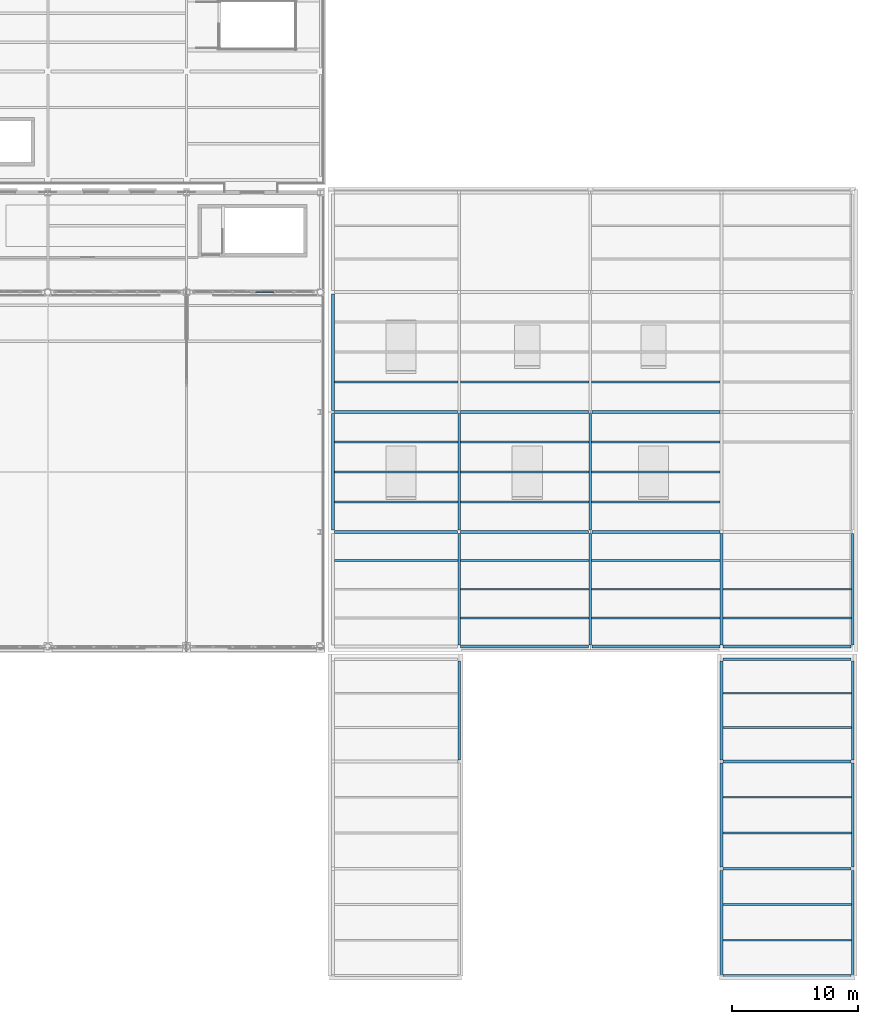
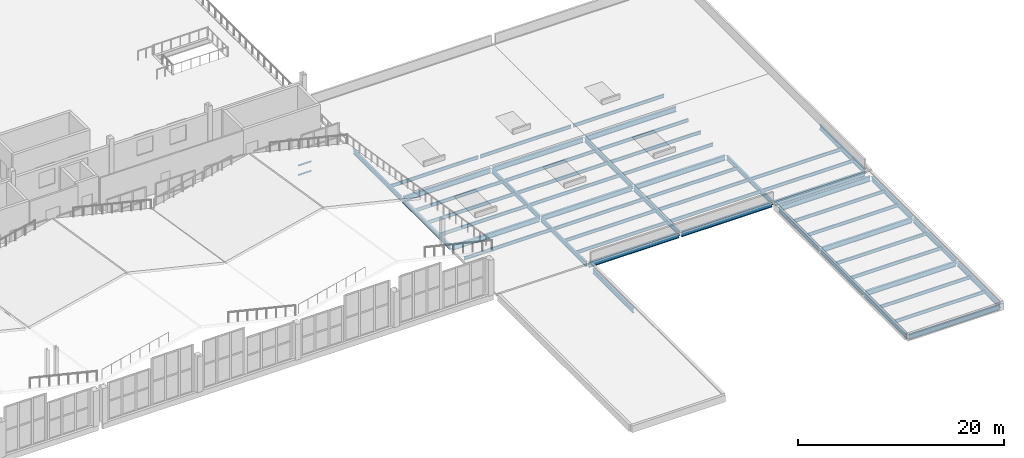
# One storey, part 74 of 120: 55 beams, 2 members, 1 element without a shape of its own.
"""IFC4 building model written with IfcOpenShell, lengths in metres."""

from ifc_helpers import new_model, si_unit, direction, frame, origin, origin_2d, place, context, subcontext, project, spatial, hollow_rectangle, i_section, extrude, material, material_profile, profile_set, type_object, element, aggregate, save


model = new_model("IFC4")

# Units and contexts
model_context = context("Model", 3, precision=1e-05, world=origin(), true_north=direction((0.0, 1.0)))
body_context = subcontext(model_context, "Body", "Model", "MODEL_VIEW")
ifc_project = project(units=[si_unit("LENGTHUNIT", "METRE"), si_unit("AREAUNIT", "SQUARE_METRE"), si_unit("VOLUMEUNIT", "CUBIC_METRE"), si_unit("PLANEANGLEUNIT", "RADIAN"), si_unit("MASSUNIT", "GRAM", prefix="KILO")], contexts=[model_context])

# Site, building, storey
site_placement = place(None, origin())
site = spatial("IfcSite", under=ifc_project, at=site_placement, CompositionType="ELEMENT")
building_placement = place(site_placement, origin())
building = spatial("IfcBuilding", under=site, at=building_placement, Name="Caurita Quay Ferry Terminal", CompositionType="ELEMENT")
storey_placement = place(building_placement, frame((0.0, 0.0, 9.89990234375)))
storey = spatial("IfcBuildingStorey", under=building, at=storey_placement, Name="L02", CompositionType="ELEMENT", Elevation=9.89990234375)

# Beams
ifc_material_1 = material(Name="Structural steel ASTM A992 Gr. 50", Category="steel")
ifc_material_profile_1 = material_profile(ifc_material_1, i_section(OverallWidth=0.210693359375, OverallDepth=0.53857421875, WebThickness=0.01171875, FlangeThickness=0.018798828125, FilletRadius=0.013916015625, at=origin_2d()), Name="W21X73")
ifc_profile_set_1 = profile_set([ifc_material_profile_1], Name="Structural steel ASTM A992 Gr. 50")
beam_type_1 = type_object("IfcBeamType", Name="BM-GR-W21A", PredefinedType="BEAM", material=ifc_profile_set_1)
for number, where, z_axis, x_axis, name in (
    (1, (132.800048828125, 43.83056640625, -0.479248046875), (0.0, 1.0, 0.0), (-1.0, 0.0, 0.0), "L02 Beam BM-V3H-L02-Y-1328-438"),
    (2, (132.800048828125, 53.33056640625, -0.479248046875), (0.0, 1.0, 0.0), (-1.0, 0.0, 0.0), "L02 Beam BM-V3H-L02-Y-1328-533"),
):
    element("IfcBeam", number, at=place(storey_placement, frame(where, z_axis=z_axis, x_axis=x_axis)), inside=storey, type_object=beam_type_1, Name=name, PredefinedType="BEAM", context=body_context, shape_type="SweptSolid", body=[
        extrude(i_section(OverallWidth=0.210693359375, OverallDepth=0.53857421875, WebThickness=0.01171875, FlangeThickness=0.018798828125, FilletRadius=0.013916015625, at=origin_2d()), origin(), (0.0, 0.0, 1.0), 9.23876953125),
    ])
beam_1_placement = place(storey_placement, frame((142.800048828125, 34.730712890625, -0.479248046875), z_axis=(0.0, 1.0, 0.0), x_axis=(-1.0, 0.0, 0.0)))
element("IfcBeam", 3, at=beam_1_placement, inside=storey, type_object=beam_type_1, Name="L02 Beam BM-V3H-L02-Y-1428-347", PredefinedType="BEAM", context=body_context, shape_type="SweptSolid", body=[
    extrude(i_section(OverallWidth=0.210693359375, OverallDepth=0.53857421875, WebThickness=0.01171875, FlangeThickness=0.018798828125, FilletRadius=0.013916015625, at=origin_2d()), origin(), (0.0, 0.0, 1.0), 8.838623046875),
])
beam_2_placement = place(storey_placement, frame((142.800048828125, 43.83056640625, -0.479248046875), z_axis=(0.0, 1.0, 0.0), x_axis=(-1.0, 0.0, 0.0)))
element("IfcBeam", 4, at=beam_2_placement, inside=storey, type_object=beam_type_1, Name="L02 Beam BM-V3H-L02-Y-1428-438", PredefinedType="BEAM", context=body_context, shape_type="SweptSolid", body=[
    extrude(i_section(OverallWidth=0.210693359375, OverallDepth=0.53857421875, WebThickness=0.01171875, FlangeThickness=0.018798828125, FilletRadius=0.013916015625, at=origin_2d()), origin(), (0.0, 0.0, 1.0), 9.23876953125),
])
beam_3_placement = place(storey_placement, frame((153.199951171875, 34.730712890625, -0.479248046875), z_axis=(0.0, 1.0, 0.0), x_axis=(-1.0, 0.0, 0.0)))
element("IfcBeam", 5, at=beam_3_placement, inside=storey, type_object=beam_type_1, Name="L02 Beam BM-V3H-L02-Y-1532-347", PredefinedType="BEAM", context=body_context, shape_type="SweptSolid", body=[
    extrude(i_section(OverallWidth=0.210693359375, OverallDepth=0.53857421875, WebThickness=0.01171875, FlangeThickness=0.018798828125, FilletRadius=0.013916015625, at=origin_2d()), origin(), (0.0, 0.0, 1.0), 8.838623046875),
])
beam_4_placement = place(storey_placement, frame((153.199951171875, 43.83056640625, -0.479248046875), z_axis=(0.0, 1.0, 0.0), x_axis=(-1.0, 0.0, 0.0)))
element("IfcBeam", 6, at=beam_4_placement, inside=storey, type_object=beam_type_1, Name="L02 Beam BM-V3H-L02-Y-1532-438", PredefinedType="BEAM", context=body_context, shape_type="SweptSolid", body=[
    extrude(i_section(OverallWidth=0.210693359375, OverallDepth=0.53857421875, WebThickness=0.01171875, FlangeThickness=0.018798828125, FilletRadius=0.013916015625, at=origin_2d()), origin(), (0.0, 0.0, 1.0), 9.23876953125),
])
for number, where, z_axis, x_axis, name in (
    (7, (163.60009765625, 34.730712890625, -0.479248046875), (0.0, 1.0, 0.0), (-1.0, 0.0, 0.0), "L02 Beam BM-V3H-L02-Y-1636-347"),
    (8, (174.0, 34.730712890625, -0.479248046875), (0.0, 1.0, 0.0), (-1.0, 0.0, 0.0), "L02 Beam BM-V3H-L02-Y-1740-347"),
):
    element("IfcBeam", number, at=place(storey_placement, frame(where, z_axis=z_axis, x_axis=x_axis)), inside=storey, type_object=beam_type_1, Name=name, PredefinedType="BEAM", context=body_context, shape_type="SweptSolid", body=[
        extrude(i_section(OverallWidth=0.210693359375, OverallDepth=0.53857421875, WebThickness=0.01171875, FlangeThickness=0.018798828125, FilletRadius=0.013916015625, at=origin_2d()), origin(), (0.0, 0.0, 1.0), 8.838623046875),
    ])
beam_5_placement = place(storey_placement, frame((142.800048828125, 25.62939453125, -0.479248046875), z_axis=(0.0, 1.0, 0.0), x_axis=(-1.0, 0.0, 0.0)))
element("IfcBeam", 9, at=beam_5_placement, inside=storey, type_object=beam_type_1, Name="L02 Beam BM-V3P-L02-Y-1428-256", PredefinedType="BEAM", context=body_context, shape_type="SweptSolid", body=[
    extrude(i_section(OverallWidth=0.210693359375, OverallDepth=0.53857421875, WebThickness=0.01171875, FlangeThickness=0.018798828125, FilletRadius=0.013916015625, at=origin_2d()), origin(), (0.0, 0.0, 1.0), 7.841064453125),
])
for number, where, z_axis, x_axis, name in (
    (10, (163.60009765625, 8.62939453125, -0.479248046875), (0.0, 1.0, 0.0), (-1.0, 0.0, 0.0), "L02 Beam BM-V3P-L02-Y-1636-86"),
    (11, (163.60009765625, 17.12939453125, -0.479248046875), (0.0, 1.0, 0.0), (-1.0, 0.0, 0.0), "L02 Beam BM-V3P-L02-Y-1636-171"),
):
    element("IfcBeam", number, at=place(storey_placement, frame(where, z_axis=z_axis, x_axis=x_axis)), inside=storey, type_object=beam_type_1, Name=name, PredefinedType="BEAM", context=body_context, shape_type="SweptSolid", body=[
        extrude(i_section(OverallWidth=0.210693359375, OverallDepth=0.53857421875, WebThickness=0.01171875, FlangeThickness=0.018798828125, FilletRadius=0.013916015625, at=origin_2d()), origin(), (0.0, 0.0, 1.0), 8.2412109375),
    ])
beam_6_placement = place(storey_placement, frame((163.60009765625, 25.62939453125, -0.479248046875), z_axis=(0.0, 1.0, 0.0), x_axis=(-1.0, 0.0, 0.0)))
element("IfcBeam", 12, at=beam_6_placement, inside=storey, type_object=beam_type_1, Name="L02 Beam BM-V3P-L02-Y-1636-256", PredefinedType="BEAM", context=body_context, shape_type="SweptSolid", body=[
    extrude(i_section(OverallWidth=0.210693359375, OverallDepth=0.53857421875, WebThickness=0.01171875, FlangeThickness=0.018798828125, FilletRadius=0.013916015625, at=origin_2d()), origin(), (0.0, 0.0, 1.0), 7.841064453125),
])
for number, where, z_axis, x_axis, name in (
    (13, (174.0, 8.62939453125, -0.479248046875), (0.0, 1.0, 0.0), (-1.0, 0.0, 0.0), "L02 Beam BM-V3P-L02-Y-1740-86"),
    (14, (174.0, 17.12939453125, -0.479248046875), (0.0, 1.0, 0.0), (-1.0, 0.0, 0.0), "L02 Beam BM-V3P-L02-Y-1740-171"),
):
    element("IfcBeam", number, at=place(storey_placement, frame(where, z_axis=z_axis, x_axis=x_axis)), inside=storey, type_object=beam_type_1, Name=name, PredefinedType="BEAM", context=body_context, shape_type="SweptSolid", body=[
        extrude(i_section(OverallWidth=0.210693359375, OverallDepth=0.53857421875, WebThickness=0.01171875, FlangeThickness=0.018798828125, FilletRadius=0.013916015625, at=origin_2d()), origin(), (0.0, 0.0, 1.0), 8.2412109375),
    ])
beam_7_placement = place(storey_placement, frame((174.0, 25.62939453125, -0.479248046875), z_axis=(0.0, 1.0, 0.0), x_axis=(-1.0, 0.0, 0.0)))
element("IfcBeam", 15, at=beam_7_placement, inside=storey, type_object=beam_type_1, Name="L02 Beam BM-V3P-L02-Y-1740-256", PredefinedType="BEAM", context=body_context, shape_type="SweptSolid", body=[
    extrude(i_section(OverallWidth=0.210693359375, OverallDepth=0.53857421875, WebThickness=0.01171875, FlangeThickness=0.018798828125, FilletRadius=0.013916015625, at=origin_2d()), origin(), (0.0, 0.0, 1.0), 7.841064453125),
])
ifc_material_profile_2 = material_profile(ifc_material_1, i_section(OverallWidth=0.22802734375, OverallDepth=0.60205078125, WebThickness=0.010498046875, FlangeThickness=0.014892578125, at=origin_2d()), Name="W24X68")
ifc_profile_set_2 = profile_set([ifc_material_profile_2], Name="Structural steel ASTM A992 Gr. 50")
beam_type_2 = type_object("IfcBeamType", Name="BM-GR-W24C", PredefinedType="BEAM", material=ifc_profile_set_2)
beam_8_placement = place(storey_placement, frame((142.929443359375, 34.60009765625, -0.510986328125), z_axis=(1.0, 0.0, 0.0), x_axis=(0.0, 1.0, 0.0)))
element("IfcBeam", 16, at=beam_8_placement, inside=storey, type_object=beam_type_2, Name="L02 Beam BM-V3H-L02-X-1429-346", PredefinedType="BEAM", context=body_context, shape_type="SweptSolid", body=[
    extrude(i_section(OverallWidth=0.22802734375, OverallDepth=0.60205078125, WebThickness=0.010498046875, FlangeThickness=0.014892578125, at=origin_2d()), origin(), (0.0, 0.0, 1.0), 10.14111328125),
])
beam_9_placement = place(storey_placement, frame((153.32958984375, 34.60009765625, -0.510986328125), z_axis=(1.0, 0.0, 0.0), x_axis=(0.0, 1.0, 0.0)))
element("IfcBeam", 17, at=beam_9_placement, inside=storey, type_object=beam_type_2, Name="L02 Beam BM-V3H-L02-X-1533-346", PredefinedType="BEAM", context=body_context, shape_type="SweptSolid", body=[
    extrude(i_section(OverallWidth=0.22802734375, OverallDepth=0.60205078125, WebThickness=0.010498046875, FlangeThickness=0.014892578125, at=origin_2d()), origin(), (0.0, 0.0, 1.0), 10.140869140625),
])
beam_10_placement = place(storey_placement, frame((163.7294921875, 34.60009765625, -0.510986328125), z_axis=(1.0, 0.0, 0.0), x_axis=(0.0, 1.0, 0.0)))
element("IfcBeam", 18, at=beam_10_placement, inside=storey, type_object=beam_type_2, Name="L02 Beam BM-V3H-L02-X-1637-346", PredefinedType="BEAM", context=body_context, shape_type="SweptSolid", body=[
    extrude(i_section(OverallWidth=0.22802734375, OverallDepth=0.60205078125, WebThickness=0.010498046875, FlangeThickness=0.014892578125, at=origin_2d()), origin(), (0.0, 0.0, 1.0), 10.14111328125),
])
beam_11_placement = place(storey_placement, frame((132.929443359375, 43.699951171875, -0.510986328125), z_axis=(1.0, 0.0, 0.0), x_axis=(0.0, 1.0, 0.0)))
element("IfcBeam", 19, at=beam_11_placement, inside=storey, type_object=beam_type_2, Name="L02 Beam BM-V3H-L02-X-1329-437", PredefinedType="BEAM", context=body_context, shape_type="SweptSolid", body=[
    extrude(i_section(OverallWidth=0.22802734375, OverallDepth=0.60205078125, WebThickness=0.010498046875, FlangeThickness=0.014892578125, at=origin_2d()), origin(), (0.0, 0.0, 1.0), 9.740966796875),
])
beam_12_placement = place(storey_placement, frame((142.929443359375, 43.699951171875, -0.510986328125), z_axis=(1.0, 0.0, 0.0), x_axis=(0.0, 1.0, 0.0)))
element("IfcBeam", 20, at=beam_12_placement, inside=storey, type_object=beam_type_2, Name="L02 Beam BM-V3H-L02-X-1429-437", PredefinedType="BEAM", context=body_context, shape_type="SweptSolid", body=[
    extrude(i_section(OverallWidth=0.22802734375, OverallDepth=0.60205078125, WebThickness=0.010498046875, FlangeThickness=0.014892578125, at=origin_2d()), origin(), (0.0, 0.0, 1.0), 10.14111328125),
])
beam_13_placement = place(storey_placement, frame((153.32958984375, 43.699951171875, -0.510986328125), z_axis=(1.0, 0.0, 0.0), x_axis=(0.0, 1.0, 0.0)))
element("IfcBeam", 21, at=beam_13_placement, inside=storey, type_object=beam_type_2, Name="L02 Beam BM-V3H-L02-X-1533-437", PredefinedType="BEAM", context=body_context, shape_type="SweptSolid", body=[
    extrude(i_section(OverallWidth=0.22802734375, OverallDepth=0.60205078125, WebThickness=0.010498046875, FlangeThickness=0.014892578125, at=origin_2d()), origin(), (0.0, 0.0, 1.0), 10.140869140625),
])
beam_14_placement = place(storey_placement, frame((132.929443359375, 53.199951171875, -0.510986328125), z_axis=(1.0, 0.0, 0.0), x_axis=(0.0, 1.0, 0.0)))
element("IfcBeam", 22, at=beam_14_placement, inside=storey, type_object=beam_type_2, Name="L02 Beam BM-V3H-L02-X-1329-532", PredefinedType="BEAM", context=body_context, shape_type="SweptSolid", body=[
    extrude(i_section(OverallWidth=0.22802734375, OverallDepth=0.60205078125, WebThickness=0.010498046875, FlangeThickness=0.014892578125, at=origin_2d()), origin(), (0.0, 0.0, 1.0), 9.740966796875),
])
beam_15_placement = place(storey_placement, frame((142.929443359375, 53.199951171875, -0.510986328125), z_axis=(1.0, 0.0, 0.0), x_axis=(0.0, 1.0, 0.0)))
element("IfcBeam", 23, at=beam_15_placement, inside=storey, type_object=beam_type_2, Name="L02 Beam BM-V3H-L02-X-1429-532", PredefinedType="BEAM", context=body_context, shape_type="SweptSolid", body=[
    extrude(i_section(OverallWidth=0.22802734375, OverallDepth=0.60205078125, WebThickness=0.010498046875, FlangeThickness=0.014892578125, at=origin_2d()), origin(), (0.0, 0.0, 1.0), 10.14111328125),
])
beam_16_placement = place(storey_placement, frame((153.32958984375, 53.199951171875, -0.510986328125), z_axis=(1.0, 0.0, 0.0), x_axis=(0.0, 1.0, 0.0)))
element("IfcBeam", 24, at=beam_16_placement, inside=storey, type_object=beam_type_2, Name="L02 Beam BM-V3H-L02-X-1533-532", PredefinedType="BEAM", context=body_context, shape_type="SweptSolid", body=[
    extrude(i_section(OverallWidth=0.22802734375, OverallDepth=0.60205078125, WebThickness=0.010498046875, FlangeThickness=0.014892578125, at=origin_2d()), origin(), (0.0, 0.0, 1.0), 10.140869140625),
])
for number, where, z_axis, x_axis, name in (
    (25, (163.7294921875, 8.5, -0.510986328125), (1.0, 0.0, 0.0), (0.0, 1.0, 0.0), "L02 Beam BM-V3P-L02-X-1637-85"),
    (26, (163.7294921875, 17.0, -0.510986328125), (1.0, 0.0, 0.0), (0.0, 1.0, 0.0), "L02 Beam BM-V3P-L02-X-1637-170"),
    (27, (163.7294921875, 25.5, -0.510986328125), (1.0, 0.0, 0.0), (0.0, 1.0, 0.0), "L02 Beam BM-V3P-L02-X-1637-255"),
    (28, (163.7294921875, 33.60009765625, -0.510986328125), (1.0, 0.0, 0.0), (0.0, 1.0, 0.0), "L02 Beam BM-V3P-L02-X-1637-336"),
):
    element("IfcBeam", number, at=place(storey_placement, frame(where, z_axis=z_axis, x_axis=x_axis)), inside=storey, type_object=beam_type_2, Name=name, PredefinedType="BEAM", context=body_context, shape_type="SweptSolid", body=[
        extrude(i_section(OverallWidth=0.22802734375, OverallDepth=0.60205078125, WebThickness=0.010498046875, FlangeThickness=0.014892578125, at=origin_2d()), origin(), (0.0, 0.0, 1.0), 10.14111328125),
    ])
ifc_material_profile_3 = material_profile(ifc_material_1, i_section(OverallWidth=0.139892578125, OverallDepth=0.39892578125, WebThickness=0.00634765625, FlangeThickness=0.0087890625, at=origin_2d()), Name="W16X26")
ifc_profile_set_3 = profile_set([ifc_material_profile_3], Name="Structural steel ASTM A992 Gr. 50")
beam_type_3 = type_object("IfcBeamType", Name="BM-JS-W16C", PredefinedType="JOIST", material=ifc_profile_set_3)
for number, where, z_axis, x_axis, name in (
    (29, (132.905517578125, 41.425048828125, -0.409423828125), (1.0, 0.0, 0.0), (0.0, 1.0, 0.0), "L02 Beam JS-V3H-L02-003"),
    (30, (132.905517578125, 46.074951171875, -0.409423828125), (1.0, 0.0, 0.0), (0.0, 1.0, 0.0), "L02 Beam JS-V3H-L02-004"),
    (31, (132.905517578125, 48.449951171875, -0.409423828125), (1.0, 0.0, 0.0), (0.0, 1.0, 0.0), "L02 Beam JS-V3H-L02-005"),
    (32, (132.905517578125, 50.824951171875, -0.409423828125), (1.0, 0.0, 0.0), (0.0, 1.0, 0.0), "L02 Beam JS-V3H-L02-006"),
    (33, (132.905517578125, 55.574951171875, -0.409423828125), (1.0, 0.0, 0.0), (0.0, 1.0, 0.0), "L02 Beam JS-V3H-L02-007"),
):
    element("IfcBeam", number, at=place(storey_placement, frame(where, z_axis=z_axis, x_axis=x_axis)), inside=storey, type_object=beam_type_3, Name=name, PredefinedType="JOIST", context=body_context, shape_type="SweptSolid", body=[
        extrude(i_section(OverallWidth=0.139892578125, OverallDepth=0.39892578125, WebThickness=0.00634765625, FlangeThickness=0.0087890625, at=origin_2d()), origin(), (0.0, 0.0, 1.0), 9.7890625),
    ])
for number, where, z_axis, x_axis, name in (
    (34, (142.905517578125, 36.875, -0.409423828125), (1.0, 0.0, 0.0), (0.0, 1.0, 0.0), "L02 Beam JS-V3H-L02-012"),
    (35, (142.905517578125, 39.14990234375, -0.409423828125), (1.0, 0.0, 0.0), (0.0, 1.0, 0.0), "L02 Beam JS-V3H-L02-013"),
    (36, (142.905517578125, 41.425048828125, -0.409423828125), (1.0, 0.0, 0.0), (0.0, 1.0, 0.0), "L02 Beam JS-V3H-L02-014"),
    (37, (142.905517578125, 46.074951171875, -0.409423828125), (1.0, 0.0, 0.0), (0.0, 1.0, 0.0), "L02 Beam JS-V3H-L02-015"),
    (38, (142.905517578125, 48.449951171875, -0.409423828125), (1.0, 0.0, 0.0), (0.0, 1.0, 0.0), "L02 Beam JS-V3H-L02-016"),
    (39, (142.905517578125, 50.824951171875, -0.409423828125), (1.0, 0.0, 0.0), (0.0, 1.0, 0.0), "L02 Beam JS-V3H-L02-017"),
    (40, (142.905517578125, 55.574951171875, -0.409423828125), (1.0, 0.0, 0.0), (0.0, 1.0, 0.0), "L02 Beam JS-V3H-L02-018"),
):
    element("IfcBeam", number, at=place(storey_placement, frame(where, z_axis=z_axis, x_axis=x_axis)), inside=storey, type_object=beam_type_3, Name=name, PredefinedType="JOIST", context=body_context, shape_type="SweptSolid", body=[
        extrude(i_section(OverallWidth=0.139892578125, OverallDepth=0.39892578125, WebThickness=0.00634765625, FlangeThickness=0.0087890625, at=origin_2d()), origin(), (0.0, 0.0, 1.0), 10.18896484375),
    ])
for number, where, z_axis, x_axis, name in (
    (41, (153.305419921875, 36.875, -0.409423828125), (1.0, 0.0, 0.0), (0.0, 1.0, 0.0), "L02 Beam JS-V3H-L02-021"),
    (42, (153.305419921875, 39.14990234375, -0.409423828125), (1.0, 0.0, 0.0), (0.0, 1.0, 0.0), "L02 Beam JS-V3H-L02-022"),
    (43, (153.305419921875, 41.425048828125, -0.409423828125), (1.0, 0.0, 0.0), (0.0, 1.0, 0.0), "L02 Beam JS-V3H-L02-023"),
    (44, (153.305419921875, 46.074951171875, -0.409423828125), (1.0, 0.0, 0.0), (0.0, 1.0, 0.0), "L02 Beam JS-V3H-L02-024"),
    (45, (153.305419921875, 48.449951171875, -0.409423828125), (1.0, 0.0, 0.0), (0.0, 1.0, 0.0), "L02 Beam JS-V3H-L02-025"),
    (46, (153.305419921875, 50.824951171875, -0.409423828125), (1.0, 0.0, 0.0), (0.0, 1.0, 0.0), "L02 Beam JS-V3H-L02-026"),
    (47, (153.305419921875, 55.574951171875, -0.409423828125), (1.0, 0.0, 0.0), (0.0, 1.0, 0.0), "L02 Beam JS-V3H-L02-027"),
    (48, (163.705322265625, 36.875, -0.409423828125), (1.0, 0.0, 0.0), (0.0, 1.0, 0.0), "L02 Beam JS-V3H-L02-032"),
    (49, (163.705322265625, 39.14990234375, -0.409423828125), (1.0, 0.0, 0.0), (0.0, 1.0, 0.0), "L02 Beam JS-V3H-L02-033"),
    (50, (163.705322265625, 11.333251953125, -0.409423828125), (1.0, 0.0, 0.0), (0.0, 1.0, 0.0), "L02 Beam JS-V3P-L02-007"),
    (51, (163.705322265625, 14.166748046875, -0.409423828125), (1.0, 0.0, 0.0), (0.0, 1.0, 0.0), "L02 Beam JS-V3P-L02-008"),
    (52, (163.705322265625, 19.833251953125, -0.409423828125), (1.0, 0.0, 0.0), (0.0, 1.0, 0.0), "L02 Beam JS-V3P-L02-009"),
    (53, (163.705322265625, 22.666748046875, -0.409423828125), (1.0, 0.0, 0.0), (0.0, 1.0, 0.0), "L02 Beam JS-V3P-L02-010"),
    (54, (163.705322265625, 28.199951171875, -0.409423828125), (1.0, 0.0, 0.0), (0.0, 1.0, 0.0), "L02 Beam JS-V3P-L02-011"),
    (55, (163.705322265625, 30.89990234375, -0.409423828125), (1.0, 0.0, 0.0), (0.0, 1.0, 0.0), "L02 Beam JS-V3P-L02-012"),
):
    element("IfcBeam", number, at=place(storey_placement, frame(where, z_axis=z_axis, x_axis=x_axis)), inside=storey, type_object=beam_type_3, Name=name, PredefinedType="JOIST", context=body_context, shape_type="SweptSolid", body=[
        extrude(i_section(OverallWidth=0.139892578125, OverallDepth=0.39892578125, WebThickness=0.00634765625, FlangeThickness=0.0087890625, at=origin_2d()), origin(), (0.0, 0.0, 1.0), 10.189208984375),
    ])

# Curtain wall, members
ifc_material_2 = material(Name="Laminated solar-control insulated glass", Category="glass")
curtain_wall_type = type_object("IfcCurtainWallType", Name="CW-SYS-05", PredefinedType="NOTDEFINED", material=ifc_material_2)
curtain_wall_placement = place(storey_placement, origin())
curtain_wall = element("IfcCurtainWall", 56, at=curtain_wall_placement, inside=storey, type_object=curtain_wall_type, Name="Folded Roof Clerestory FB-06-N4", PredefinedType="NOTDEFINED")
ifc_material_3 = material(Name="Anodized aluminium 6063-T6", Category="aluminium")
ifc_material_profile_4 = material_profile(ifc_material_3, hollow_rectangle(XDim=0.074951171875, YDim=0.159912109375, WallThickness=0.00390625, at=origin_2d()), Name="ALU-TRN-75X160")
ifc_profile_set_4 = profile_set([ifc_material_profile_4], Name="Anodized aluminium 6063-T6")
member_type = type_object("IfcMemberType", Name="CW-TRN-160", PredefinedType="USERDEFINED", material=ifc_profile_set_4)
member_1_placement = place(storey_placement, frame((126.673095703125, 62.699951171875, -1.24951171875), z_axis=(1.0, 0.0, 0.0), x_axis=(0.0, 1.0, 0.0)))
member_1 = element("IfcMember", 57, at=member_1_placement, type_object=member_type, Name="CW-CLR-048 Transom 1", ObjectType="TRANSOM", PredefinedType="USERDEFINED", context=body_context, shape_type="SweptSolid", body=[
    extrude(hollow_rectangle(XDim=0.074951171875, YDim=0.159912109375, WallThickness=0.00390625, at=origin_2d()), origin(), (0.0, 0.0, 1.0), 1.44140625),
])
member_2_placement = place(storey_placement, frame((126.673095703125, 62.699951171875, -0.12451171875), z_axis=(1.0, 0.0, 0.0), x_axis=(0.0, 1.0, 0.0)))
member_2 = element("IfcMember", 58, at=member_2_placement, type_object=member_type, Name="CW-CLR-048 Transom 2", ObjectType="TRANSOM", PredefinedType="USERDEFINED", context=body_context, shape_type="SweptSolid", body=[
    extrude(hollow_rectangle(XDim=0.074951171875, YDim=0.159912109375, WallThickness=0.00390625, at=origin_2d()), origin(), (0.0, 0.0, 1.0), 1.44140625),
])
aggregate(curtain_wall, [member_1, member_2])

save(model, "model.ifc")
